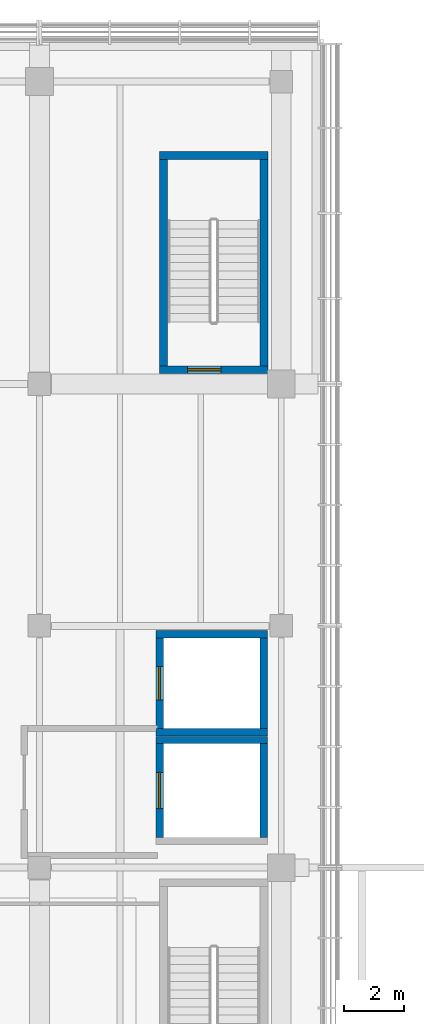
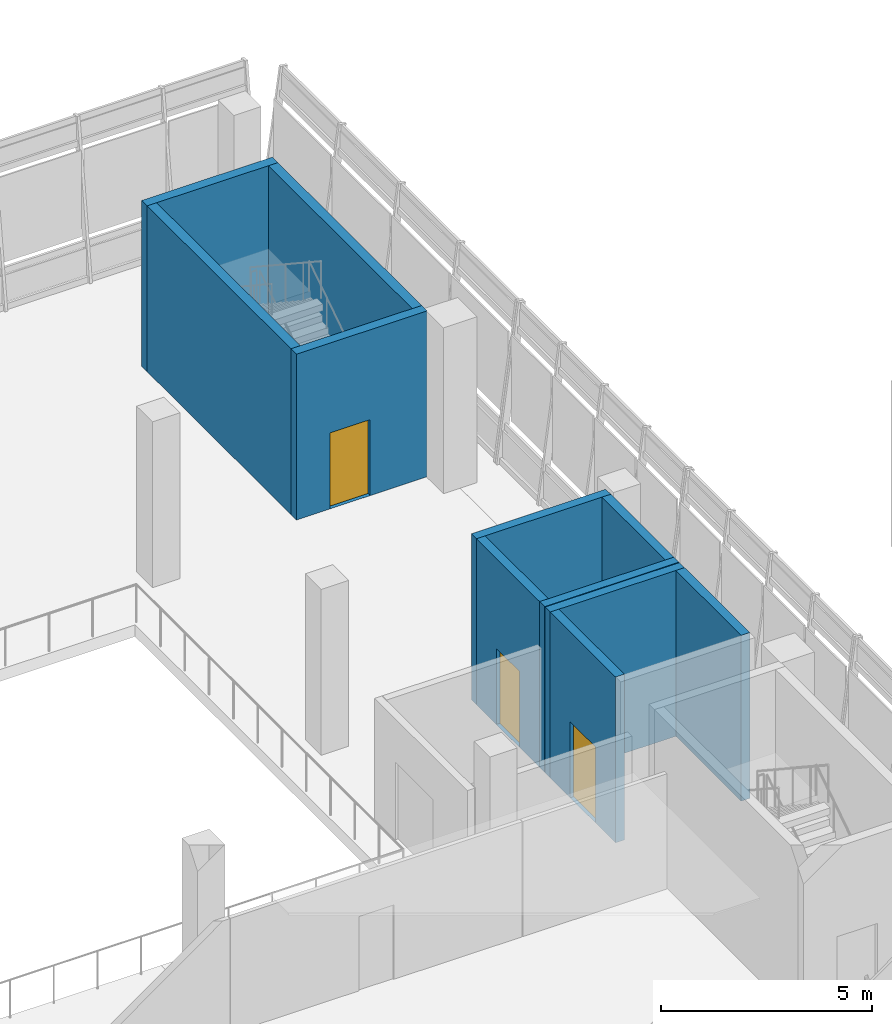
# One storey, part 33 of 52: 11 walls, 3 doors, 3 openings.
"""IFC4 building model written with IfcOpenShell, lengths in metres."""

import ifcopenshell
import ifcopenshell.guid

model = None  # the IFC model being written
_history = None  # IfcOwnerHistory: only IFC2X3 demands one
_inside = {}  # id of a spatial element -> (the spatial element, [elements in it])
_under = {}  # id of a project, library or spatial element -> (it, [spatial elements below it])
_declared = {}  # id of a project -> (the project, [libraries it declares])
_typed = {}  # id of a type object -> (the type object, [elements of that type])
_made_of = {}  # id of a material, layer set ... -> (it, [elements and type objects made of it])


def new_model(schema):
    """Start an empty IFC model of exactly this schema.

    Asked for "IFC4X3", IfcOpenShell would pick the latest addendum, in which some entities
    have other attributes; the version numbers below select the first issue.
    IFC2X3 requires an IfcOwnerHistory on every rooted entity: one is made here for all.
    """
    global model, _history
    if schema == "IFC4X3":
        model = ifcopenshell.file(schema_version=(4, 3, 0, 0))
    else:
        model = ifcopenshell.file(schema=schema)
    _inside.clear()
    _under.clear()
    _declared.clear()
    _typed.clear()
    _made_of.clear()
    _history = None
    if model.schema == "IFC2X3":
        org = make("IfcOrganization", Name="unknown")
        user = make(
            "IfcPersonAndOrganization",
            ThePerson=make("IfcPerson", FamilyName="unknown"),
            TheOrganization=org,
        )
        app = make(
            "IfcApplication",
            ApplicationDeveloper=org,
            Version="unknown",
            ApplicationFullName="unknown",
            ApplicationIdentifier="unknown",
        )
        _history = make(
            "IfcOwnerHistory",
            OwningUser=user,
            OwningApplication=app,
            ChangeAction="ADDED",
            CreationDate=0,
        )
    return model


def make(cls, **values):
    """One entity of the class cls with the attributes given. An attribute that is None is left unset."""
    return model.create_entity(
        cls, **{name: value for name, value in values.items() if value is not None}
    )


def rooted(cls, **values):
    """An entity with a GlobalId (a new one), such as an element, a storey or a relation."""
    return make(cls, GlobalId=ifcopenshell.guid.new(), OwnerHistory=_history, **values)


def si_unit(unit_type, name, prefix=None):
    """IfcSIUnit, for example si_unit("LENGTHUNIT", "METRE", prefix="MILLI")."""
    return make("IfcSIUnit", UnitType=unit_type, Prefix=prefix, Name=name)


def assignment(units):
    """IfcUnitAssignment: the units of a project."""
    return None if units is None else make("IfcUnitAssignment", Units=units)


def point(xyz):
    """IfcCartesianPoint."""
    return None if xyz is None else make("IfcCartesianPoint", Coordinates=xyz)


def direction(xyz):
    """IfcDirection."""
    return None if xyz is None else make("IfcDirection", DirectionRatios=xyz)


def frame(location, z_axis=None, x_axis=None):
    """IfcAxis2Placement3D, a coordinate frame: its origin and axes. An axis left out is left unset."""
    return make(
        "IfcAxis2Placement3D",
        Location=point(location),
        Axis=direction(z_axis),
        RefDirection=direction(x_axis),
    )


def frame_2d(location, x_axis=None):
    """IfcAxis2Placement2D, a coordinate frame in the plane: its origin and x axis."""
    return make(
        "IfcAxis2Placement2D", Location=point(location), RefDirection=direction(x_axis)
    )


def origin():
    """The frame at (0, 0, 0) with its axes left unset."""
    return frame((0.0, 0.0, 0.0))


def place(relative_to, where):
    """IfcLocalPlacement: puts the frame where relative to a parent placement (None: the world)."""
    return make(
        "IfcLocalPlacement", PlacementRelTo=relative_to, RelativePlacement=where
    )


def context(
    kind, dimensions, precision=None, world=None, true_north=None, identifier=None
):
    """IfcGeometricRepresentationContext, for example the 3D "Model" context."""
    return make(
        "IfcGeometricRepresentationContext",
        ContextIdentifier=identifier,
        ContextType=kind,
        CoordinateSpaceDimension=dimensions,
        Precision=precision,
        WorldCoordinateSystem=world,
        TrueNorth=true_north,
    )


def subcontext(parent, identifier, kind, view, scale=None):
    """IfcGeometricRepresentationSubContext, for example "Body" below "Model"."""
    return make(
        "IfcGeometricRepresentationSubContext",
        ContextIdentifier=identifier,
        ContextType=kind,
        ParentContext=parent,
        TargetScale=scale,
        TargetView=view,
    )


def project(units=None, contexts=None):
    """IfcProject with its units and contexts."""
    return rooted(
        "IfcProject",
        Name="project",
        RepresentationContexts=contexts,
        UnitsInContext=assignment(units),
    )


def spatial(cls, under=None, at=None, **own):
    """A site, building, storey or space (cls), placed at a placement, below another one or the project."""
    s = rooted(cls, ObjectPlacement=at, **own)
    if under is not None:
        _under.setdefault(under.id(), (under, []))[1].append(s)
    return s


def profile(cls, at=None, kind="AREA", **sizes):
    """A parametric profile (cls). Its sizes go by their IFC names, for example OverallWidth=200.0."""
    return make(cls, ProfileType=kind, Position=at, **sizes)


def rectangle(**sizes):
    """IfcRectangleProfileDef."""
    return profile("IfcRectangleProfileDef", **sizes)


def extrude(swept, where, along, depth):
    """IfcExtrudedAreaSolid: the profile swept, set in the frame where, extruded along a direction by depth."""
    return make(
        "IfcExtrudedAreaSolid",
        SweptArea=swept,
        Position=where,
        ExtrudedDirection=direction(along),
        Depth=depth,
    )


def shape(context_of_items, identifier, shape_type, items):
    """IfcShapeRepresentation: the items that make up one representation, for example the "Body"."""
    return make(
        "IfcShapeRepresentation",
        ContextOfItems=context_of_items,
        RepresentationIdentifier=identifier,
        RepresentationType=shape_type,
        Items=items,
    )


def material(Name=None, Category=None):
    """IfcMaterial."""
    return make("IfcMaterial", Name=Name, Category=Category)


def layer(
    of_material, thickness, ventilated=None, Name=None, Category=None, Priority=None
):
    """IfcMaterialLayer: one layer of a wall or slab, of a material (None: an air gap)."""
    return make(
        "IfcMaterialLayer",
        Material=of_material,
        LayerThickness=thickness,
        IsVentilated=ventilated,
        Name=Name,
        Category=Category,
        Priority=Priority,
    )


def layer_set(layers, Name=None):
    """IfcMaterialLayerSet."""
    return make("IfcMaterialLayerSet", MaterialLayers=layers, LayerSetName=Name)


def made_of(thing, what):
    """Note that an element or type object is made of a material, layer set ...; save() writes the relation."""
    if what is not None:
        _made_of.setdefault(what.id(), (what, []))[1].append(thing)
    return thing


def type_object(cls, material=None, **own):
    """A type object (cls), such as IfcWallType, which elements share."""
    return made_of(rooted(cls, **own), material)


def element(
    cls,
    number,
    at=None,
    inside=None,
    cuts=None,
    type_object=None,
    material=None,
    context=None,
    identifier="Body",
    shape_type=None,
    held_by="IfcProductDefinitionShape",
    body=None,
    shapes=None,
    **own,
):
    """One element of the class cls, such as IfcWall. Its Tag is "e" and its number.

    at: its placement. inside: the storey or other place that contains it. cuts: it is an
    opening in that element (IfcRelVoidsElement). A single representation is given by context,
    identifier, shape_type and body (its items); several are given by shapes. held_by: the class
    of the entity that holds the representations. save() writes the other relations.
    """
    e = rooted(cls, Tag="e%d" % number, ObjectPlacement=at, **own)
    if body is not None:
        shapes = [shape(context, identifier, shape_type, body)]
    if shapes is not None:
        e.Representation = make(held_by, Representations=shapes)
    if inside is not None:
        _inside.setdefault(inside.id(), (inside, []))[1].append(e)
    if cuts is not None:
        rooted(
            "IfcRelVoidsElement", RelatingBuildingElement=cuts, RelatedOpeningElement=e
        )
    if type_object is not None:
        _typed.setdefault(type_object.id(), (type_object, []))[1].append(e)
    return made_of(e, material)


def fill(opening, filler):
    """IfcRelFillsElement: the door or window that sits in an opening."""
    return rooted(
        "IfcRelFillsElement",
        RelatingOpeningElement=opening,
        RelatedBuildingElement=filler,
    )


def aggregate(whole, parts):
    """IfcRelAggregates: a whole, such as a stair, and the parts it consists of."""
    return rooted("IfcRelAggregates", RelatingObject=whole, RelatedObjects=parts)


def save(model, path):
    """Write the relations noted so far, then the file.

    IfcRelAggregates (storeys below a building ...), IfcRelContainedInSpatialStructure (elements
    in a storey), IfcRelDefinesByType, IfcRelAssociatesMaterial and IfcRelDeclares: one each for
    every whole, place, type object, material and project.
    """
    for whole, parts in _under.values():
        aggregate(whole, parts)
    for where, things in _inside.values():
        rooted(
            "IfcRelContainedInSpatialStructure",
            RelatedElements=things,
            RelatingStructure=where,
        )
    for kind, things in _typed.values():
        rooted("IfcRelDefinesByType", RelatedObjects=things, RelatingType=kind)
    for what, things in _made_of.values():
        rooted("IfcRelAssociatesMaterial", RelatedObjects=things, RelatingMaterial=what)
    for by, libraries in _declared.values():
        rooted("IfcRelDeclares", RelatingContext=by, RelatedDefinitions=libraries)
    model.write(path)


model = new_model("IFC4")

# Units and contexts
model_context = context("Model", 3, precision=1e-05, world=origin(), true_north=direction((0.0, 1.0)))
body_context = subcontext(model_context, "Body", "Model", "MODEL_VIEW")
ifc_project = project(units=[si_unit("LENGTHUNIT", "METRE"), si_unit("AREAUNIT", "SQUARE_METRE"), si_unit("VOLUMEUNIT", "CUBIC_METRE"), si_unit("PLANEANGLEUNIT", "RADIAN"), si_unit("MASSUNIT", "GRAM", prefix="KILO")], contexts=[model_context])

# Site, building, storey
site_placement = place(None, origin())
site = spatial("IfcSite", under=ifc_project, at=site_placement, CompositionType="ELEMENT")
building_placement = place(site_placement, origin())
building = spatial("IfcBuilding", under=site, at=building_placement, Name="Pecanmere Concourse Central Library", CompositionType="ELEMENT")
storey_placement = place(building_placement, frame((0.0, 0.0, 10.5)))
storey = spatial("IfcBuildingStorey", under=building, at=storey_placement, Name="L03", CompositionType="ELEMENT", Elevation=10.5)

# Wall
ifc_material_1 = material(Name="Concrete C40/50", Category="concrete")
ifc_layer_1 = layer(ifc_material_1, 0.239990234375, Name="WALL_SLD_240")
ifc_layer_set_1 = layer_set([ifc_layer_1], Name="Concrete C40/50")
wall_type_1 = type_object("IfcWallType", Name="WALL_SLD_240", PredefinedType="SOLIDWALL", material=ifc_layer_set_1)
wall_1_placement = place(storey_placement, frame((99.860107421875, 102.219970703125, 0.0), z_axis=(0.0, 0.0, 1.0), x_axis=(1.0, 0.0, 0.0)))
element("IfcWall", 1, at=wall_1_placement, inside=storey, type_object=wall_type_1, Name="Hoistway Wall LF-02 L03-N", PredefinedType="SOLIDWALL", context=body_context, shape_type="SweptSolid", body=[
    extrude(rectangle(XDim=3.679931640625, YDim=0.239990234375, at=frame_2d((1.83984375, 0.0))), origin(), (0.0, 0.0, 1.0), 4.800048828125),
])

# Wall, opening, door
wall_2_placement = place(storey_placement, frame((99.97998046875, 99.0, 0.0), z_axis=(0.0, 0.0, 1.0), x_axis=(0.0, 1.0, 0.0)))
wall_2 = element("IfcWall", 2, at=wall_2_placement, inside=storey, type_object=wall_type_1, Name="Hoistway Wall LF-02 L03-W", PredefinedType="SOLIDWALL", context=body_context, shape_type="SweptSolid", body=[
    extrude(rectangle(XDim=3.10009765625, YDim=0.239990234375, at=frame_2d((1.550048828125, 0.0))), origin(), (0.0, 0.0, 1.0), 4.800048828125),
])
opening_1_placement = place(wall_2_placement, frame((0.949951171875, 0.0, 0.0)))
opening_1 = element("IfcOpeningElement", 3, at=opening_1_placement, cuts=wall_2, Name="Opening LD-02", PredefinedType="OPENING", context=body_context, shape_type="SweptSolid", body=[
    extrude(rectangle(XDim=1.199951171875, YDim=2.199951171875, at=frame_2d((0.60009765625, 1.10009765625))), frame((0.0, 0.1318359375, 0.0), z_axis=(0.0, -1.0, 0.0), x_axis=(1.0, 0.0, 0.0)), (0.0, 0.0, 1.0), 0.263916015625),
])
ifc_material_2 = material(Name="Brushed stainless steel Grade 316", Category="steel")
door_type_1 = type_object("IfcDoorType", Name="LD-02", OperationType="DOUBLE_DOOR_SLIDING", PredefinedType="DOOR", material=ifc_material_2)
door_1_placement = place(opening_1_placement, origin())
door_1 = element("IfcDoor", 4, at=door_1_placement, inside=storey, type_object=door_type_1, Name="LD-LF-02-L03", OperationType="DOUBLE_DOOR_SLIDING", OverallHeight=2.199951171875, OverallWidth=1.199951171875, PredefinedType="DOOR", context=body_context, shape_type="SweptSolid", body=[
    extrude(rectangle(XDim=1.199951171875, YDim=2.199951171875, at=frame_2d((0.60009765625, 1.10009765625))), frame((0.0, 0.02490234375, 0.0), z_axis=(0.0, -1.0, 0.0), x_axis=(1.0, 0.0, 0.0)), (0.0, 0.0, 1.0), 0.050048828125),
])
fill(opening_1, door_1)

# Walls
wall_3_placement = place(storey_placement, frame((103.419921875, 99.0, 0.0), z_axis=(0.0, 0.0, 1.0), x_axis=(0.0, 1.0, 0.0)))
element("IfcWall", 5, at=wall_3_placement, inside=storey, type_object=wall_type_1, Name="Hoistway Wall LF-02 L03-E", PredefinedType="SOLIDWALL", context=body_context, shape_type="SweptSolid", body=[
    extrude(rectangle(XDim=3.10009765625, YDim=0.239990234375, at=frame_2d((1.550048828125, 0.0))), origin(), (0.0, 0.0, 1.0), 4.800048828125),
])
for number, where, z_axis, x_axis, name in (
    (6, (99.860107421875, 102.47998046875, 0.0), (0.0, 0.0, 1.0), (1.0, 0.0, 0.0), "Hoistway Wall LP-02 L03-S"),
    (7, (99.860107421875, 105.719970703125, 0.0), (0.0, 0.0, 1.0), (1.0, 0.0, 0.0), "Hoistway Wall LP-02 L03-N"),
):
    element("IfcWall", number, at=place(storey_placement, frame(where, z_axis=z_axis, x_axis=x_axis)), inside=storey, type_object=wall_type_1, Name=name, PredefinedType="SOLIDWALL", context=body_context, shape_type="SweptSolid", body=[
        extrude(rectangle(XDim=3.679931640625, YDim=0.239990234375, at=frame_2d((1.83984375, 0.0))), origin(), (0.0, 0.0, 1.0), 4.800048828125),
    ])

# Wall, opening, door
wall_4_placement = place(storey_placement, frame((99.97998046875, 102.60009765625, 0.0), z_axis=(0.0, 0.0, 1.0), x_axis=(0.0, 1.0, 0.0)))
wall_4 = element("IfcWall", 8, at=wall_4_placement, inside=storey, type_object=wall_type_1, Name="Hoistway Wall LP-02 L03-W", PredefinedType="SOLIDWALL", context=body_context, shape_type="SweptSolid", body=[
    extrude(rectangle(XDim=3.0, YDim=0.239990234375, at=frame_2d((1.5, 0.0))), origin(), (0.0, 0.0, 1.0), 4.800048828125),
])
opening_2_placement = place(wall_4_placement, frame((0.949951171875, 0.0, 0.0)))
opening_2 = element("IfcOpeningElement", 9, at=opening_2_placement, cuts=wall_4, Name="Opening LD-01", PredefinedType="OPENING", context=body_context, shape_type="SweptSolid", body=[
    extrude(rectangle(XDim=1.10009765625, YDim=2.199951171875, at=frame_2d((0.550048828125, 1.10009765625))), frame((0.0, 0.1318359375, 0.0), z_axis=(0.0, -1.0, 0.0), x_axis=(1.0, 0.0, 0.0)), (0.0, 0.0, 1.0), 0.263916015625),
])
ifc_material_3 = material(Name="Brushed stainless steel Grade 316", Category="steel")
door_type_2 = type_object("IfcDoorType", Name="LD-01", OperationType="DOUBLE_DOOR_SLIDING", PredefinedType="DOOR", material=ifc_material_3)
door_2_placement = place(opening_2_placement, origin())
door_2 = element("IfcDoor", 10, at=door_2_placement, inside=storey, type_object=door_type_2, Name="LD-LP-02-L03", OperationType="DOUBLE_DOOR_SLIDING", OverallHeight=2.199951171875, OverallWidth=1.10009765625, PredefinedType="DOOR", context=body_context, shape_type="SweptSolid", body=[
    extrude(rectangle(XDim=1.10009765625, YDim=2.199951171875, at=frame_2d((0.550048828125, 1.10009765625))), frame((0.0, 0.02490234375, 0.0), z_axis=(0.0, -1.0, 0.0), x_axis=(1.0, 0.0, 0.0)), (0.0, 0.0, 1.0), 0.050048828125),
])
fill(opening_2, door_2)

# Wall
wall_5_placement = place(storey_placement, frame((103.419921875, 102.60009765625, 0.0), z_axis=(0.0, 0.0, 1.0), x_axis=(0.0, 1.0, 0.0)))
element("IfcWall", 11, at=wall_5_placement, inside=storey, type_object=wall_type_1, Name="Hoistway Wall LP-02 L03-E", PredefinedType="SOLIDWALL", context=body_context, shape_type="SweptSolid", body=[
    extrude(rectangle(XDim=3.0, YDim=0.239990234375, at=frame_2d((1.5, 0.0))), origin(), (0.0, 0.0, 1.0), 4.800048828125),
])

# Wall, opening, door
ifc_material_4 = material(Name="Concrete C40/50", Category="concrete")
ifc_layer_2 = layer(ifc_material_4, 0.260009765625, Name="WALL_SLD_260")
ifc_layer_set_2 = layer_set([ifc_layer_2], Name="Concrete C40/50")
wall_type_2 = type_object("IfcWallType", Name="WALL_SLD_260", PredefinedType="SOLIDWALL", material=ifc_layer_set_2)
wall_6_placement = place(storey_placement, frame((99.97998046875, 114.469970703125, 0.0), z_axis=(0.0, 0.0, 1.0), x_axis=(1.0, 0.0, 0.0)))
wall_6 = element("IfcWall", 12, at=wall_6_placement, inside=storey, type_object=wall_type_2, Name="Core C4 South Wall L03", PredefinedType="SOLIDWALL", context=body_context, shape_type="SweptSolid", body=[
    extrude(rectangle(XDim=3.580078125, YDim=0.260009765625, at=frame_2d((1.7900390625, 0.0))), origin(), (0.0, 0.0, 1.0), 4.800048828125),
])
opening_3_placement = place(wall_6_placement, frame((0.919921875, 0.0, 0.0)))
opening_3 = element("IfcOpeningElement", 13, at=opening_3_placement, cuts=wall_6, Name="Opening FD-02", PredefinedType="OPENING", context=body_context, shape_type="SweptSolid", body=[
    extrude(rectangle(XDim=1.10009765625, YDim=2.199951171875, at=frame_2d((0.550048828125, 1.10009765625))), frame((0.0, 0.14208984375, 0.0), z_axis=(0.0, -1.0, 0.0), x_axis=(1.0, 0.0, 0.0)), (0.0, 0.0, 1.0), 0.283935546875),
])
ifc_material_5 = material(Name="Painted architectural steel ASTM A36", Category="steel")
door_type_3 = type_object("IfcDoorType", Name="FD-02", OperationType="SINGLE_SWING_RIGHT", PredefinedType="DOOR", material=ifc_material_5)
door_3_placement = place(opening_3_placement, origin())
door_3 = element("IfcDoor", 14, at=door_3_placement, inside=storey, type_object=door_type_3, Name="D-028", OperationType="SINGLE_SWING_RIGHT", OverallHeight=2.199951171875, OverallWidth=1.10009765625, PredefinedType="DOOR", context=body_context, shape_type="SweptSolid", body=[
    extrude(rectangle(XDim=1.10009765625, YDim=2.199951171875, at=frame_2d((0.550048828125, 1.10009765625))), frame((0.0, 0.02490234375, 0.0), z_axis=(0.0, -1.0, 0.0), x_axis=(1.0, 0.0, 0.0)), (0.0, 0.0, 1.0), 0.050048828125),
])
fill(opening_3, door_3)

# Walls
wall_7_placement = place(storey_placement, frame((99.97998046875, 121.550048828125, 0.0), z_axis=(0.0, 0.0, 1.0), x_axis=(1.0, 0.0, 0.0)))
element("IfcWall", 15, at=wall_7_placement, inside=storey, type_object=wall_type_2, Name="Core C4 North Wall L03", PredefinedType="SOLIDWALL", context=body_context, shape_type="SweptSolid", body=[
    extrude(rectangle(XDim=3.580078125, YDim=0.260009765625, at=frame_2d((1.7900390625, 0.0))), origin(), (0.0, 0.0, 1.0), 4.800048828125),
])
for number, where, z_axis, x_axis, name in (
    (16, (100.110107421875, 114.60009765625, 0.0), (0.0, 0.0, 1.0), (0.0, 1.0, 0.0), "Core C4 W Wall L03"),
    (17, (103.429931640625, 114.60009765625, 0.0), (0.0, 0.0, 1.0), (0.0, 1.0, 0.0), "Core C4 E Wall L03"),
):
    element("IfcWall", number, at=place(storey_placement, frame(where, z_axis=z_axis, x_axis=x_axis)), inside=storey, type_object=wall_type_2, Name=name, PredefinedType="SOLIDWALL", context=body_context, shape_type="SweptSolid", body=[
        extrude(rectangle(XDim=6.81982421875, YDim=0.260009765625, at=frame_2d((3.409912109375, 0.0))), origin(), (0.0, 0.0, 1.0), 4.800048828125),
    ])

save(model, "model.ifc")
